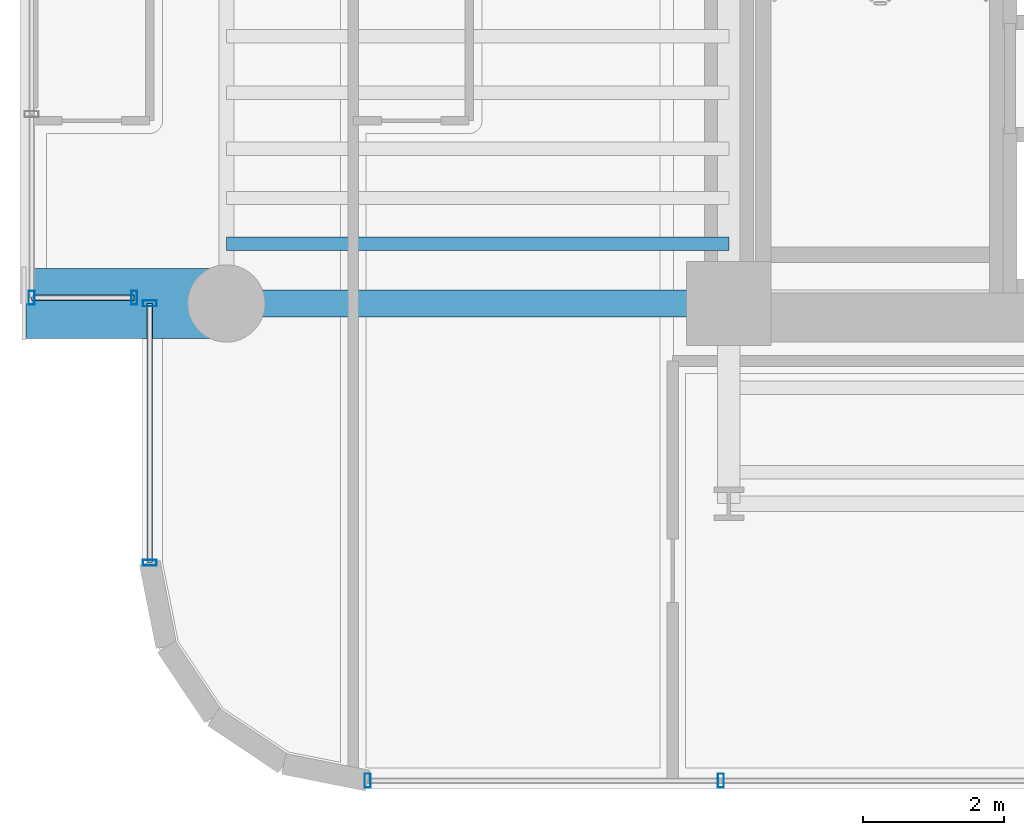
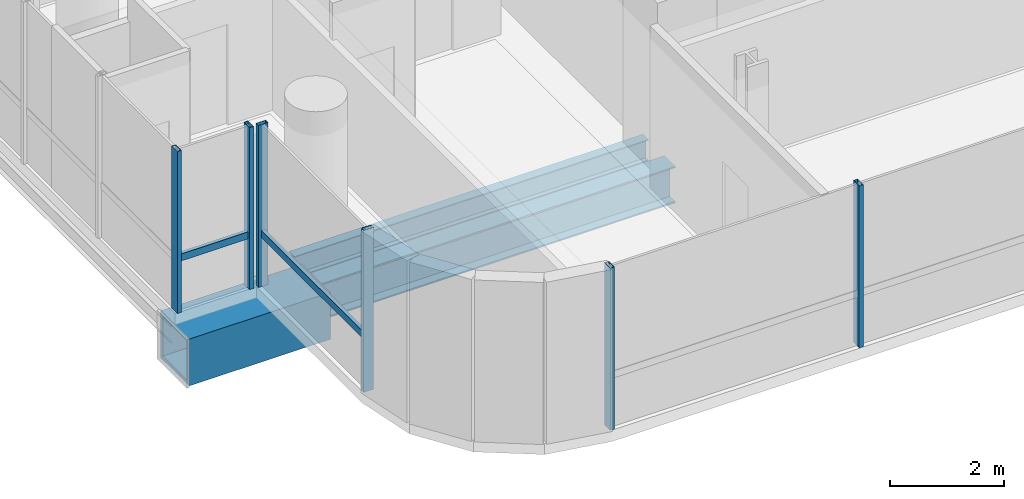
# One storey, part 2 of 37: 8 members, 3 beams, 3 elements without a shape of their own.
"""IFC4 building model written with IfcOpenShell, lengths in metres."""

from ifc_helpers import new_model, si_unit, direction, frame, origin, origin_2d, place, context, subcontext, project, spatial, hollow_rectangle, i_section, extrude, source, transform, mapped, material, material_profile, profile_set, type_object, element, aggregate, save


model = new_model("IFC4")

# Units and contexts
model_context = context("Model", 3, precision=1e-05, world=origin(), true_north=direction((0.0, 1.0)))
body_context = subcontext(model_context, "Body", "Model", "MODEL_VIEW")
ifc_project = project(units=[si_unit("LENGTHUNIT", "METRE"), si_unit("AREAUNIT", "SQUARE_METRE"), si_unit("VOLUMEUNIT", "CUBIC_METRE"), si_unit("PLANEANGLEUNIT", "RADIAN"), si_unit("MASSUNIT", "GRAM", prefix="KILO")], contexts=[model_context])

# Site, building, storey
site_placement = place(None, origin())
site = spatial("IfcSite", under=ifc_project, at=site_placement, CompositionType="ELEMENT")
building_placement = place(site_placement, origin())
building = spatial("IfcBuilding", under=site, at=building_placement, Name="Valdorenza Pilgrim Sanctuary Tower", CompositionType="ELEMENT")
storey_placement = place(building_placement, frame((0.0, 0.0, 135.300048828125)))
storey = spatial("IfcBuildingStorey", under=building, at=storey_placement, Name="L34", CompositionType="ELEMENT", Elevation=135.300048828125)

# Beams
ifc_material_1 = material(Name="Steel ASTM A992 Grade 50", Category="steel")
ifc_material_profile_1 = material_profile(ifc_material_1, i_section(OverallWidth=0.382080078125, OverallDepth=0.779052734375, WebThickness=0.01806640625, FlangeThickness=0.030029296875, at=origin_2d()), Name="W30X191")
ifc_profile_set_1 = profile_set([ifc_material_profile_1], Name="Steel ASTM A992 Grade 50")
beam_type_1 = type_object("IfcBeamType", Name="STR-BM-GRD-W30", PredefinedType="BEAM", material=ifc_profile_set_1)
shared_shape_1 = source(origin(), body_context, "Body", "SweptSolid", [
    extrude(i_section(OverallWidth=0.382080078125, OverallDepth=0.779052734375, WebThickness=0.01806640625, FlangeThickness=0.030029296875, at=origin_2d()), origin(), (0.0, 0.0, 1.0), 7.150146484375),
])
beam_1_placement = place(storey_placement, frame((-29.800048828125, -10.60009765625, -0.629638671875), z_axis=(1.0, 0.0, 0.0), x_axis=(0.0, 1.0, 0.0)))
element("IfcBeam", 1, at=beam_1_placement, inside=storey, type_object=beam_type_1, Name="L34 Floor Girder WA-XW-S1", PredefinedType="BEAM", context=body_context, shape_type="MappedRepresentation", body=[
    mapped(shared_shape_1, transform((0.0, 0.0, 0.0), x_axis=(1.0, 0.0, 0.0), y_axis=(0.0, 1.0, 0.0), z_axis=(0.0, 0.0, 1.0), scale=1.0)),
])
ifc_material_profile_2 = material_profile(ifc_material_1, i_section(OverallWidth=0.19091796875, OverallDepth=0.45703125, WebThickness=0.009033203125, FlangeThickness=0.014404296875, at=origin_2d()), Name="W18X50")
ifc_profile_set_2 = profile_set([ifc_material_profile_2], Name="Steel ASTM A992 Grade 50")
beam_type_2 = type_object("IfcBeamType", Name="STR-BM-JST-W18B", PredefinedType="JOIST", material=ifc_profile_set_2)
shared_shape_2 = source(origin(), body_context, "Body", "SweptSolid", [
    extrude(i_section(OverallWidth=0.19091796875, OverallDepth=0.45703125, WebThickness=0.009033203125, FlangeThickness=0.014404296875, at=origin_2d()), origin(), (0.0, 0.0, 1.0), 7.150146484375),
])
beam_2_placement = place(storey_placement, frame((-29.800048828125, -9.75, -0.468505859375), z_axis=(1.0, 0.0, 0.0), x_axis=(0.0, 1.0, 0.0)))
element("IfcBeam", 2, at=beam_2_placement, inside=storey, type_object=beam_type_2, Name="L34 Composite Floor Joist JST-WA-1", PredefinedType="JOIST", context=body_context, shape_type="MappedRepresentation", body=[
    mapped(shared_shape_2, transform((0.0, 0.0, 0.0), x_axis=(1.0, 0.0, 0.0), y_axis=(0.0, 1.0, 0.0), z_axis=(0.0, 0.0, 1.0), scale=1.0)),
])
ifc_material_2 = material(Name="Steel ASTM A572 Grade 42", Category="steel")
ifc_material_profile_3 = material_profile(ifc_material_2, hollow_rectangle(XDim=1.0, YDim=1.0, WallThickness=0.080078125, at=origin_2d()), Name="BOX 1000x1000x80")
ifc_profile_set_3 = profile_set([ifc_material_profile_3], Name="Steel ASTM A572 Grade 42")
beam_type_3 = type_object("IfcBeamType", Name="STR-BM-PROW-CANT", PredefinedType="BEAM", material=ifc_profile_set_3)
shared_shape_3 = source(origin(), body_context, "Body", "SweptSolid", [
    extrude(hollow_rectangle(XDim=1.0, YDim=1.0, WallThickness=0.080078125, at=origin_2d()), origin(), (0.0, 0.0, 1.0), 2.849853515625),
])
beam_3_placement = place(storey_placement, frame((-29.800048828125, -10.60009765625, -0.739990234375), z_axis=(-1.0, 0.0, 0.0), x_axis=(0.0, -1.0, 0.0)))
element("IfcBeam", 3, at=beam_3_placement, inside=storey, type_object=beam_type_3, Name="L34 Glass Box Cantilever Beam BOX-WA-L34-CT-S", PredefinedType="BEAM", context=body_context, shape_type="MappedRepresentation", body=[
    mapped(shared_shape_3, transform((0.0, 0.0, 0.0), x_axis=(1.0, 0.0, 0.0), y_axis=(0.0, 1.0, 0.0), z_axis=(0.0, 0.0, 1.0), scale=1.0)),
])

# Curtain wall, members
ifc_material_3 = material(Name="Curtain-wall IGU glazing", Category="glass")
curtain_wall_type = type_object("IfcCurtainWallType", Name="CW-SYS-02", PredefinedType="NOTDEFINED", material=ifc_material_3)
curtain_wall_1_placement = place(storey_placement, origin())
curtain_wall_1 = element("IfcCurtainWall", 4, at=curtain_wall_1_placement, inside=storey, type_object=curtain_wall_type, Name="L34 Curtain Wall CW-L34-1-1S1", PredefinedType="NOTDEFINED")
ifc_material_4 = material(Name="Anodised aluminium AW-6060", Category="aluminium")
ifc_material_profile_4 = material_profile(ifc_material_4, hollow_rectangle(XDim=0.0849609375, YDim=0.199951171875, WallThickness=0.0048828125, at=origin_2d()), Name="ALU-M 200x85x5")
ifc_profile_set_4 = profile_set([ifc_material_profile_4], Name="Anodised aluminium AW-6060")
member_type_1 = type_object("IfcMemberType", Name="CW-MUL-02", PredefinedType="MULLION", material=ifc_profile_set_4)
shared_shape_4 = source(origin(), body_context, "Body", "SweptSolid", [
    extrude(hollow_rectangle(XDim=0.0849609375, YDim=0.199951171875, WallThickness=0.0048828125, at=origin_2d()), origin(), (0.0, 0.0, 1.0), 3.4599609375),
])
member_1_placement = place(storey_placement, frame((-30.889892578125, -14.289306640625, 0.0), z_axis=(0.0, 0.0, 1.0), x_axis=(0.0, 1.0, 0.0)))
member_1 = element("IfcMember", 5, at=member_1_placement, type_object=member_type_1, Name="CW-L34-1-1S1 Mullion 1", PredefinedType="MULLION", context=body_context, shape_type="MappedRepresentation", body=[
    mapped(shared_shape_4, transform((0.0, 0.0, 0.0), x_axis=(1.0, 0.0, 0.0), y_axis=(0.0, 1.0, 0.0), z_axis=(0.0, 0.0, 1.0), scale=1.0)),
])
member_2_placement = place(storey_placement, frame((-30.889892578125, -10.60009765625, 0.0), z_axis=(0.0, 0.0, 1.0), x_axis=(0.0, 1.0, 0.0)))
member_2 = element("IfcMember", 6, at=member_2_placement, type_object=member_type_1, Name="CW-L34-1-1S1 Mullion 2", PredefinedType="MULLION", context=body_context, shape_type="MappedRepresentation", body=[
    mapped(shared_shape_4, transform((0.0, 0.0, 0.0), x_axis=(1.0, 0.0, 0.0), y_axis=(0.0, 1.0, 0.0), z_axis=(0.0, 0.0, 1.0), scale=1.0)),
])

curtain_wall_2_placement = place(storey_placement, origin())
curtain_wall_2 = element("IfcCurtainWall", 7, at=curtain_wall_2_placement, inside=storey, type_object=curtain_wall_type, Name="L34 Curtain Wall CW-L34-1-46", PredefinedType="NOTDEFINED")
member_3_placement = place(storey_placement, frame((-22.76318359375, -17.389892578125, 0.0), z_axis=(0.0, 0.0, 1.0), x_axis=(-1.0, 0.0, 0.0)))
member_3 = element("IfcMember", 8, at=member_3_placement, type_object=member_type_1, Name="CW-L34-1-46 Mullion 3", PredefinedType="MULLION", context=body_context, shape_type="MappedRepresentation", body=[
    mapped(shared_shape_4, transform((0.0, 0.0, 0.0), x_axis=(1.0, 0.0, 0.0), y_axis=(0.0, 1.0, 0.0), z_axis=(0.0, 0.0, 1.0), scale=1.0)),
])
member_4_placement = place(storey_placement, frame((-27.789306640625, -17.389892578125, 0.0), z_axis=(0.0, 0.0, 1.0), x_axis=(-1.0, 0.0, 0.0)))
member_4 = element("IfcMember", 9, at=member_4_placement, type_object=member_type_1, Name="CW-L34-1-46 Mullion 4", PredefinedType="MULLION", context=body_context, shape_type="MappedRepresentation", body=[
    mapped(shared_shape_4, transform((0.0, 0.0, 0.0), x_axis=(1.0, 0.0, 0.0), y_axis=(0.0, 1.0, 0.0), z_axis=(0.0, 0.0, 1.0), scale=1.0)),
])
aggregate(curtain_wall_2, [member_3, member_4])

curtain_wall_3_placement = place(storey_placement, origin())
curtain_wall_3 = element("IfcCurtainWall", 10, at=curtain_wall_3_placement, inside=storey, type_object=curtain_wall_type, Name="L34 Curtain Wall CW-L34-BOX-WA-L34-S", PredefinedType="NOTDEFINED")
member_5_placement = place(storey_placement, frame((-31.110107421875, -10.52001953125, 0.0), z_axis=(0.0, 0.0, 1.0), x_axis=(-1.0, 0.0, 0.0)))
member_5 = element("IfcMember", 11, at=member_5_placement, type_object=member_type_1, Name="CW-L34-BOX-WA-L34-S Mullion 1", PredefinedType="MULLION", context=body_context, shape_type="MappedRepresentation", body=[
    mapped(shared_shape_4, transform((0.0, 0.0, 0.0), x_axis=(1.0, 0.0, 0.0), y_axis=(0.0, 1.0, 0.0), z_axis=(0.0, 0.0, 1.0), scale=1.0)),
])
member_6_placement = place(storey_placement, frame((-32.570068359375, -10.52001953125, 0.0), z_axis=(0.0, 0.0, 1.0), x_axis=(-1.0, 0.0, 0.0)))
member_6 = element("IfcMember", 12, at=member_6_placement, type_object=member_type_1, Name="CW-L34-BOX-WA-L34-S Mullion 2", PredefinedType="MULLION", context=body_context, shape_type="MappedRepresentation", body=[
    mapped(shared_shape_4, transform((0.0, 0.0, 0.0), x_axis=(1.0, 0.0, 0.0), y_axis=(0.0, 1.0, 0.0), z_axis=(0.0, 0.0, 1.0), scale=1.0)),
])
ifc_material_profile_5 = material_profile(ifc_material_4, hollow_rectangle(XDim=0.074951171875, YDim=0.14990234375, WallThickness=0.00390625, at=origin_2d()), Name="ALU-T 150x75x4")
ifc_profile_set_5 = profile_set([ifc_material_profile_5], Name="Anodised aluminium AW-6060")
member_type_2 = type_object("IfcMemberType", Name="CW-TRN-02", PredefinedType="USERDEFINED", material=ifc_profile_set_5)
shared_shape_5 = source(origin(), body_context, "Body", "SweptSolid", [
    extrude(hollow_rectangle(XDim=0.074951171875, YDim=0.14990234375, WallThickness=0.00390625, at=origin_2d()), origin(), (0.0, 0.0, 1.0), 1.4599609375),
])
member_7_placement = place(storey_placement, frame((-31.110107421875, -10.52001953125, 1.119873046875), z_axis=(-1.0, 0.0, 0.0), x_axis=(0.0, -1.0, 0.0)))
member_7 = element("IfcMember", 13, at=member_7_placement, type_object=member_type_2, Name="CW-L34-BOX-WA-L34-S Transom 1", ObjectType="TRANSOM", PredefinedType="USERDEFINED", context=body_context, shape_type="MappedRepresentation", body=[
    mapped(shared_shape_5, transform((0.0, 0.0, 0.0), x_axis=(1.0, 0.0, 0.0), y_axis=(0.0, 1.0, 0.0), z_axis=(0.0, 0.0, 1.0), scale=1.0)),
])
aggregate(curtain_wall_3, [member_5, member_6, member_7])

# Member
shared_shape_6 = source(origin(), body_context, "Body", "SweptSolid", [
    extrude(hollow_rectangle(XDim=0.074951171875, YDim=0.14990234375, WallThickness=0.00390625, at=origin_2d()), origin(), (0.0, 0.0, 1.0), 3.689208984375),
])
member_8_placement = place(storey_placement, frame((-30.889892578125, -14.289306640625, 1.119873046875), z_axis=(0.0, 1.0, 0.0), x_axis=(-1.0, 0.0, 0.0)))
member_8 = element("IfcMember", 14, at=member_8_placement, type_object=member_type_2, Name="CW-L34-1-1S1 Transom 1", ObjectType="TRANSOM", PredefinedType="USERDEFINED", context=body_context, shape_type="MappedRepresentation", body=[
    mapped(shared_shape_6, transform((0.0, 0.0, 0.0), x_axis=(1.0, 0.0, 0.0), y_axis=(0.0, 1.0, 0.0), z_axis=(0.0, 0.0, 1.0), scale=1.0)),
])

aggregate(curtain_wall_1, [member_1, member_2, member_8])

save(model, "model.ifc")
